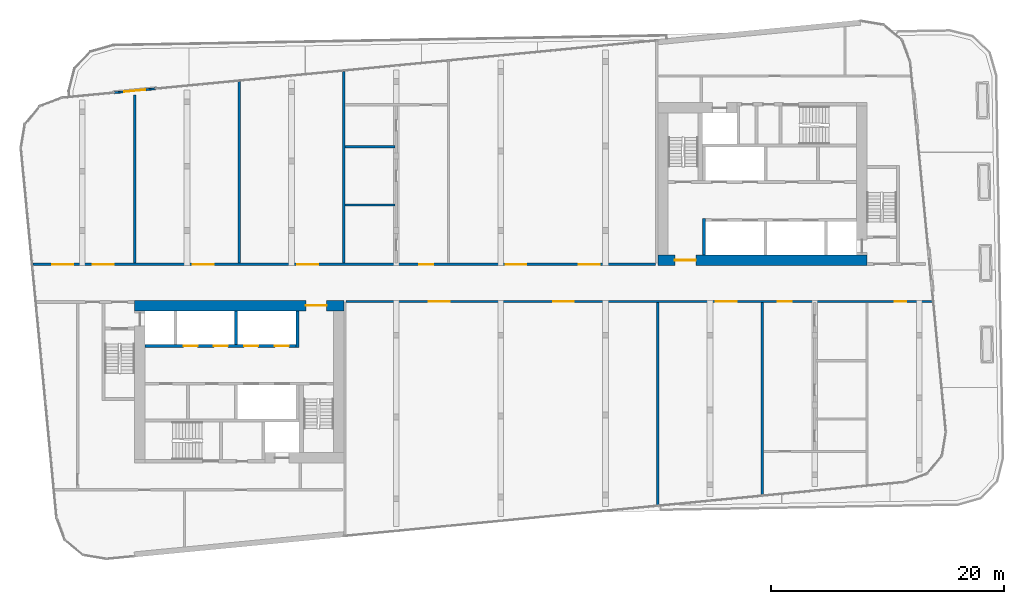
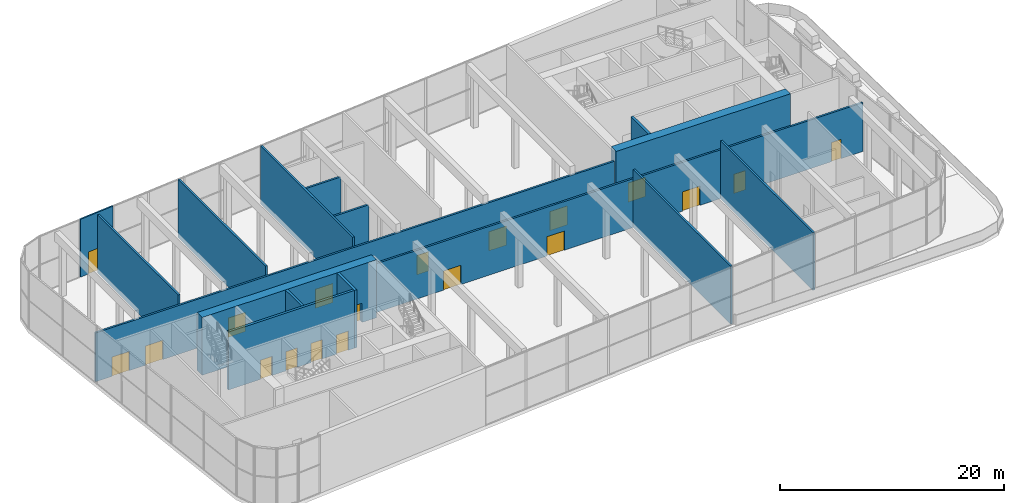
# One storey, part 13 of 24: 19 doors, 16 walls, 19 openings.
"""IFC4 building model written with IfcOpenShell, lengths in metres."""

from ifc_helpers import new_model, si_unit, direction, frame, frame_2d, origin, place, context, subcontext, project, spatial, rectangle, extrude, material, layer, layer_set, type_object, element, fill, save


model = new_model("IFC4")

# Units and contexts
model_context = context("Model", 3, precision=1e-05, world=origin(), true_north=direction((0.0, 1.0)))
body_context = subcontext(model_context, "Body", "Model", "MODEL_VIEW")
ifc_project = project(units=[si_unit("LENGTHUNIT", "METRE"), si_unit("AREAUNIT", "SQUARE_METRE"), si_unit("VOLUMEUNIT", "CUBIC_METRE"), si_unit("PLANEANGLEUNIT", "RADIAN"), si_unit("MASSUNIT", "GRAM", prefix="KILO")], contexts=[model_context])

# Site, building, storey
site_placement = place(None, origin())
site = spatial("IfcSite", under=ifc_project, at=site_placement, CompositionType="ELEMENT")
building_placement = place(site_placement, origin())
building = spatial("IfcBuilding", under=site, at=building_placement, Name="Kajstack Hotel Tower", CompositionType="ELEMENT")
storey_placement = place(building_placement, frame((0.0, 0.0, 261.89990234375)))
storey = spatial("IfcBuildingStorey", under=building, at=storey_placement, Name="L65", CompositionType="ELEMENT", Elevation=261.89990234375)

# Wall, opening, door
ifc_material_1 = material(Name="Concrete C60/75", Category="concrete")
ifc_layer_1 = layer(ifc_material_1, 0.89990234375)
ifc_layer_set_1 = layer_set([ifc_layer_1], Name="Core wall 900")
wall_type_1 = type_object("IfcWallType", Name="Core wall 900", PredefinedType="SHEAR", material=ifc_layer_set_1)
wall_1_placement = place(storey_placement, frame((-31.5, -1.949951171875, 0.0), z_axis=(0.0, 0.0, 1.0), x_axis=(1.0, 0.0, 0.0)))
wall_1 = element("IfcWall", 1, at=wall_1_placement, inside=storey, type_object=wall_type_1, Name="Core wall W RN", PredefinedType="SHEAR", context=body_context, shape_type="SweptSolid", body=[
    extrude(rectangle(XDim=18.0, YDim=0.89990234375, at=frame_2d((9.0, 0.0))), origin(), (0.0, 0.0, 1.0), 6.320068359375),
])
opening_1_placement = place(wall_1_placement, frame((14.72509765625, 0.0, 0.0)))
opening_1 = element("IfcOpeningElement", 2, at=opening_1_placement, cuts=wall_1, Name="Opening 65W09", PredefinedType="OPENING", context=body_context, shape_type="SweptSolid", body=[
    extrude(rectangle(XDim=1.800048828125, YDim=2.10009765625, at=frame_2d((0.89990234375, 1.050048828125))), frame((0.0, 0.4599609375, 0.0), z_axis=(0.0, -1.0, 0.0), x_axis=(1.0, 0.0, 0.0)), (0.0, 0.0, 1.0), 0.919921875),
])
ifc_material_2 = material(Name="Glazed steel frame, fire-rated glass", Category="steel")
door_type_1 = type_object("IfcDoorType", Name="Lobby double door 1800", OperationType="DOUBLE_DOOR_DOUBLE_SWING", PredefinedType="DOOR", material=ifc_material_2)
door_1_placement = place(opening_1_placement, origin())
door_1 = element("IfcDoor", 3, at=door_1_placement, inside=storey, type_object=door_type_1, Name="Door 65W09", OperationType="DOUBLE_DOOR_DOUBLE_SWING", OverallHeight=2.10009765625, OverallWidth=1.800048828125, PredefinedType="DOOR", context=body_context, shape_type="SweptSolid", body=[
    extrude(rectangle(XDim=1.800048828125, YDim=2.10009765625, at=frame_2d((0.89990234375, 1.050048828125))), frame((0.0, 0.02490234375, 0.0), z_axis=(0.0, -1.0, 0.0), x_axis=(1.0, 0.0, 0.0)), (0.0, 0.0, 1.0), 0.050048828125),
])
fill(opening_1, door_1)

wall_2_placement = place(storey_placement, frame((13.5, 1.949951171875, 0.0), z_axis=(0.0, 0.0, 1.0), x_axis=(1.0, 0.0, 0.0)))
wall_2 = element("IfcWall", 4, at=wall_2_placement, inside=storey, type_object=wall_type_1, Name="Core wall E RN", PredefinedType="SHEAR", context=body_context, shape_type="SweptSolid", body=[
    extrude(rectangle(XDim=18.0, YDim=0.89990234375, at=frame_2d((9.0, 0.0))), origin(), (0.0, 0.0, 1.0), 6.320068359375),
])
opening_2_placement = place(wall_2_placement, frame((1.47509765625, 0.0, 0.0)))
opening_2 = element("IfcOpeningElement", 5, at=opening_2_placement, cuts=wall_2, Name="Opening 65E09", PredefinedType="OPENING", context=body_context, shape_type="SweptSolid", body=[
    extrude(rectangle(XDim=1.800048828125, YDim=2.10009765625, at=frame_2d((0.89990234375, 1.050048828125))), frame((0.0, 0.4599609375, 0.0), z_axis=(0.0, -1.0, 0.0), x_axis=(1.0, 0.0, 0.0)), (0.0, 0.0, 1.0), 0.919921875),
])
door_2_placement = place(opening_2_placement, origin())
door_2 = element("IfcDoor", 6, at=door_2_placement, inside=storey, type_object=door_type_1, Name="Door 65E09", OperationType="DOUBLE_DOOR_DOUBLE_SWING", OverallHeight=2.10009765625, OverallWidth=1.800048828125, PredefinedType="DOOR", context=body_context, shape_type="SweptSolid", body=[
    extrude(rectangle(XDim=1.800048828125, YDim=2.10009765625, at=frame_2d((0.89990234375, 1.050048828125))), frame((0.0, 0.02490234375, 0.0), z_axis=(0.0, -1.0, 0.0), x_axis=(1.0, 0.0, 0.0)), (0.0, 0.0, 1.0), 0.050048828125),
])
fill(opening_2, door_2)

ifc_material_3 = material(Name="Aluminium", Category="aluminium")
ifc_layer_2 = layer(ifc_material_3, 0.14990234375)
ifc_layer_set_2 = layer_set([ifc_layer_2], Name="EW-FRAME")
wall_type_2 = type_object("IfcWallType", Name="EW-FRAME", PredefinedType="SOLIDWALL", material=ifc_layer_set_2)
wall_3_placement = place(storey_placement, frame((-29.700927734375, 16.70166015625, 0.0), z_axis=(0.0, 0.0, 1.0), x_axis=(-0.995398337395, -0.095823535273, 0.0)))
wall_3 = element("IfcWall", 7, at=wall_3_placement, inside=storey, type_object=wall_type_2, Name="E-wall-L65-12-02", PredefinedType="SOLIDWALL", context=body_context, shape_type="SweptSolid", body=[
    extrude(rectangle(XDim=3.60009765625, YDim=0.14990234375, at=frame_2d((1.800048828125, 0.0))), origin(), (0.0, 0.0, 1.0), 6.320068359375),
])
opening_3_placement = place(wall_3_placement, frame((0.89990234375, 0.0, 0.0)))
opening_3 = element("IfcOpeningElement", 8, at=opening_3_placement, cuts=wall_3, Name="Opening TD1", PredefinedType="OPENING", context=body_context, shape_type="SweptSolid", body=[
    extrude(rectangle(XDim=1.800048828125, YDim=2.39990234375, at=frame_2d((0.89990234375, 1.199951171875))), frame((0.0, 0.0849609375, 0.0), z_axis=(0.0, -1.0, 0.0), x_axis=(1.0, 0.0, 0.0)), (0.0, 0.0, 1.0), 0.169921875),
])
ifc_material_4 = material(Name="Timber-aluminium door", Category="wood")
door_type_2 = type_object("IfcDoorType", Name="DOOR-TERRACE", OperationType="DOUBLE_DOOR_SINGLE_SWING", PredefinedType="DOOR", material=ifc_material_4)
door_3_placement = place(opening_3_placement, origin())
door_3 = element("IfcDoor", 9, at=door_3_placement, inside=storey, type_object=door_type_2, Name="Terrace door L65-12", OperationType="SINGLE_SWING_LEFT", OverallHeight=2.39990234375, OverallWidth=1.800048828125, PredefinedType="DOOR", context=body_context, shape_type="SweptSolid", body=[
    extrude(rectangle(XDim=1.800048828125, YDim=2.39990234375, at=frame_2d((0.89990234375, 1.199951171875))), frame((0.0, 0.02490234375, 0.0), z_axis=(0.0, -1.0, 0.0), x_axis=(1.0, 0.0, 0.0)), (0.0, 0.0, 1.0), 0.050048828125),
])
fill(opening_3, door_3)

# Walls
ifc_material_5 = material(Name="Concrete C50/60", Category="concrete")
ifc_layer_3 = layer(ifc_material_5, 0.300048828125)
ifc_layer_set_3 = layer_set([ifc_layer_3], Name="Hoistway divider wall 300")
wall_type_3 = type_object("IfcWallType", Name="Hoistway divider wall 300", PredefinedType="SHEAR", material=ifc_layer_set_3)
wall_4_placement = place(storey_placement, frame((-22.77490234375, -5.300048828125, 0.0), z_axis=(0.0, 0.0, 1.0), x_axis=(0.0, 1.0, 0.0)))
element("IfcWall", 10, at=wall_4_placement, inside=storey, type_object=wall_type_3, Name="Core wall W AP2", PredefinedType="SHEAR", context=body_context, shape_type="SweptSolid", body=[
    extrude(rectangle(XDim=2.900146484375, YDim=0.25, at=frame_2d((1.4501953125, 0.0))), origin(), (0.0, 0.0, 1.0), 6.320068359375),
])
ifc_material_6 = material(Name="Gypsum board on steel studs, mineral wool", Category="steel")
ifc_layer_4 = layer(ifc_material_6, 0.199951171875)
ifc_layer_set_4 = layer_set([ifc_layer_4], Name="Public partition 200")
wall_type_4 = type_object("IfcWallType", Name="Public partition 200", PredefinedType="PARTITIONING", material=ifc_layer_set_4)
for number, where, z_axis, x_axis, name in (
    (11, (-13.39990234375, 6.699951171875, 0.0), (0.0, 0.0, 1.0), (1.0, 0.0, 0.0), "Partition C1wP0"),
    (12, (-13.39990234375, 11.699951171875, 0.0), (0.0, 0.0, 1.0), (1.0, 0.0, 0.0), "Partition C1wP1"),
):
    element("IfcWall", number, at=place(storey_placement, frame(where, z_axis=z_axis, x_axis=x_axis)), inside=storey, type_object=wall_type_4, Name=name, PredefinedType="PARTITIONING", context=body_context, shape_type="SweptSolid", body=[
        extrude(rectangle(XDim=4.2998046875, YDim=0.199951171875, at=frame_2d((2.14990234375, 0.0))), origin(), (0.0, 0.0, 1.0), 5.320068359375),
    ])
wall_5_placement = place(storey_placement, frame((-13.5, 1.699951171875, 0.0), z_axis=(0.0, 0.0, 1.0), x_axis=(0.0, 1.0, 0.0)))
element("IfcWall", 13, at=wall_5_placement, inside=storey, type_object=wall_type_4, Name="Partition PX1", PredefinedType="PARTITIONING", context=body_context, shape_type="SweptSolid", body=[
    extrude(rectangle(XDim=16.486328125, YDim=0.199951171875, at=frame_2d((8.2431640625, 0.0))), origin(), (0.0, 0.0, 1.0), 6.320068359375),
])
wall_6_placement = place(storey_placement, frame((-22.5, 1.699951171875, 0.0), z_axis=(0.0, 0.0, 1.0), x_axis=(0.0, 1.0, 0.0)))
element("IfcWall", 14, at=wall_6_placement, inside=storey, type_object=wall_type_4, Name="Partition PX2", PredefinedType="PARTITIONING", context=body_context, shape_type="SweptSolid", body=[
    extrude(rectangle(XDim=15.61962890625, YDim=0.199951171875, at=frame_2d((7.809814453125, 0.0))), origin(), (0.0, 0.0, 1.0), 6.320068359375),
])
wall_7_placement = place(storey_placement, frame((-31.5, 1.699951171875, 0.0), z_axis=(0.0, 0.0, 1.0), x_axis=(0.0, 1.0, 0.0)))
element("IfcWall", 15, at=wall_7_placement, inside=storey, type_object=wall_type_4, Name="Partition PX3", PredefinedType="PARTITIONING", context=body_context, shape_type="SweptSolid", body=[
    extrude(rectangle(XDim=14.45166015625, YDim=0.199951171875, at=frame_2d((7.225830078125, 0.0))), origin(), (0.0, 0.0, 1.0), 6.320068359375),
])

# Wall, openings, doors
wall_8_placement = place(storey_placement, frame((-40.2392578125, 1.60009765625, 0.0), z_axis=(0.0, 0.0, 1.0), x_axis=(1.0, 0.0, 0.0)))
wall_8 = element("IfcWall", 16, at=wall_8_placement, inside=storey, type_object=wall_type_4, Name="Partition FW", PredefinedType="PARTITIONING", context=body_context, shape_type="SweptSolid", body=[
    extrude(rectangle(XDim=53.539306640625, YDim=0.199951171875, at=frame_2d((26.76953125, 0.0))), origin(), (0.0, 0.0, 1.0), 5.320068359375),
])
opening_4_placement = place(wall_8_placement, frame((46.92919921875, 0.0, 0.0)))
opening_4 = element("IfcOpeningElement", 17, at=opening_4_placement, cuts=wall_8, Name="Opening 65P01", PredefinedType="OPENING", context=body_context, shape_type="SweptSolid", body=[
    extrude(rectangle(XDim=1.800048828125, YDim=2.10009765625, at=frame_2d((0.89990234375, 1.050048828125))), frame((0.0, 0.10986328125, 0.0), z_axis=(0.0, -1.0, 0.0), x_axis=(1.0, 0.0, 0.0)), (0.0, 0.0, 1.0), 0.219970703125),
])
opening_5_placement = place(wall_8_placement, frame((40.649169921875, 0.0, 0.0)))
opening_5 = element("IfcOpeningElement", 18, at=opening_5_placement, cuts=wall_8, Name="Opening 65P02", PredefinedType="OPENING", context=body_context, shape_type="SweptSolid", body=[
    extrude(rectangle(XDim=1.800048828125, YDim=2.10009765625, at=frame_2d((0.89990234375, 1.050048828125))), frame((0.0, 0.10986328125, 0.0), z_axis=(0.0, -1.0, 0.0), x_axis=(1.0, 0.0, 0.0)), (0.0, 0.0, 1.0), 0.219970703125),
])
opening_6_placement = place(wall_8_placement, frame((33.214111328125, 0.0, 0.0)))
opening_6 = element("IfcOpeningElement", 19, at=opening_6_placement, cuts=wall_8, Name="Opening 65P03", PredefinedType="OPENING", context=body_context, shape_type="SweptSolid", body=[
    extrude(rectangle(XDim=1.199951171875, YDim=2.10009765625, at=frame_2d((0.60009765625, 1.050048828125))), frame((0.0, 0.10986328125, 0.0), z_axis=(0.0, -1.0, 0.0), x_axis=(1.0, 0.0, 0.0)), (0.0, 0.0, 1.0), 0.219970703125),
])
opening_7_placement = place(wall_8_placement, frame((22.7392578125, 0.0, 0.0)))
opening_7 = element("IfcOpeningElement", 20, at=opening_7_placement, cuts=wall_8, Name="Opening 65P08", PredefinedType="OPENING", context=body_context, shape_type="SweptSolid", body=[
    extrude(rectangle(XDim=1.800048828125, YDim=2.10009765625, at=frame_2d((0.89990234375, 1.050048828125))), frame((0.0, 0.10986328125, 0.0), z_axis=(0.0, -1.0, 0.0), x_axis=(1.0, 0.0, 0.0)), (0.0, 0.0, 1.0), 0.219970703125),
])
opening_8_placement = place(wall_8_placement, frame((13.7392578125, 0.0, 0.0)))
opening_8 = element("IfcOpeningElement", 21, at=opening_8_placement, cuts=wall_8, Name="Opening 65P09", PredefinedType="OPENING", context=body_context, shape_type="SweptSolid", body=[
    extrude(rectangle(XDim=1.800048828125, YDim=2.10009765625, at=frame_2d((0.89990234375, 1.050048828125))), frame((0.0, 0.10986328125, 0.0), z_axis=(0.0, -1.0, 0.0), x_axis=(1.0, 0.0, 0.0)), (0.0, 0.0, 1.0), 0.219970703125),
])
opening_9_placement = place(wall_8_placement, frame((5.13916015625, 0.0, 0.0)))
opening_9 = element("IfcOpeningElement", 22, at=opening_9_placement, cuts=wall_8, Name="Opening 65P10", PredefinedType="OPENING", context=body_context, shape_type="SweptSolid", body=[
    extrude(rectangle(XDim=1.800048828125, YDim=2.10009765625, at=frame_2d((0.89990234375, 1.050048828125))), frame((0.0, 0.10986328125, 0.0), z_axis=(0.0, -1.0, 0.0), x_axis=(1.0, 0.0, 0.0)), (0.0, 0.0, 1.0), 0.219970703125),
])
opening_10_placement = place(wall_8_placement, frame((1.673095703125, 0.0, 0.0)))
opening_10 = element("IfcOpeningElement", 23, at=opening_10_placement, cuts=wall_8, Name="Opening 65P11", PredefinedType="OPENING", context=body_context, shape_type="SweptSolid", body=[
    extrude(rectangle(XDim=1.800048828125, YDim=2.10009765625, at=frame_2d((0.89990234375, 1.050048828125))), frame((0.0, 0.10986328125, 0.0), z_axis=(0.0, -1.0, 0.0), x_axis=(1.0, 0.0, 0.0)), (0.0, 0.0, 1.0), 0.219970703125),
])
ifc_material_7 = material(Name="Timber leaf, fire-rated", Category="wood")
door_type_3 = type_object("IfcDoorType", Name="Public corridor door 1200", OperationType="SINGLE_SWING_LEFT", PredefinedType="DOOR", material=ifc_material_7)
door_4_placement = place(opening_6_placement, origin())
door_4 = element("IfcDoor", 24, at=door_4_placement, inside=storey, type_object=door_type_3, Name="Door 65P03", OperationType="SINGLE_SWING_LEFT", OverallHeight=2.10009765625, OverallWidth=1.199951171875, PredefinedType="DOOR", context=body_context, shape_type="SweptSolid", body=[
    extrude(rectangle(XDim=1.199951171875, YDim=2.10009765625, at=frame_2d((0.60009765625, 1.050048828125))), frame((0.0, 0.02490234375, 0.0), z_axis=(0.0, -1.0, 0.0), x_axis=(1.0, 0.0, 0.0)), (0.0, 0.0, 1.0), 0.050048828125),
])
fill(opening_6, door_4)
ifc_material_8 = material(Name="Glazed timber frame, fire-rated glass", Category="wood")
door_type_4 = type_object("IfcDoorType", Name="Public double door 1800", OperationType="DOUBLE_DOOR_DOUBLE_SWING", PredefinedType="DOOR", material=ifc_material_8)
door_5_placement = place(opening_4_placement, origin())
door_5 = element("IfcDoor", 25, at=door_5_placement, inside=storey, type_object=door_type_4, Name="Door 65P01", OperationType="DOUBLE_DOOR_DOUBLE_SWING", OverallHeight=2.10009765625, OverallWidth=1.800048828125, PredefinedType="DOOR", context=body_context, shape_type="SweptSolid", body=[
    extrude(rectangle(XDim=1.800048828125, YDim=2.10009765625, at=frame_2d((0.89990234375, 1.050048828125))), frame((0.0, 0.02490234375, 0.0), z_axis=(0.0, -1.0, 0.0), x_axis=(1.0, 0.0, 0.0)), (0.0, 0.0, 1.0), 0.050048828125),
])
fill(opening_4, door_5)
door_6_placement = place(opening_5_placement, origin())
door_6 = element("IfcDoor", 26, at=door_6_placement, inside=storey, type_object=door_type_4, Name="Door 65P02", OperationType="DOUBLE_DOOR_DOUBLE_SWING", OverallHeight=2.10009765625, OverallWidth=1.800048828125, PredefinedType="DOOR", context=body_context, shape_type="SweptSolid", body=[
    extrude(rectangle(XDim=1.800048828125, YDim=2.10009765625, at=frame_2d((0.89990234375, 1.050048828125))), frame((0.0, 0.02490234375, 0.0), z_axis=(0.0, -1.0, 0.0), x_axis=(1.0, 0.0, 0.0)), (0.0, 0.0, 1.0), 0.050048828125),
])
fill(opening_5, door_6)
door_7_placement = place(opening_7_placement, origin())
door_7 = element("IfcDoor", 27, at=door_7_placement, inside=storey, type_object=door_type_4, Name="Door 65P08", OperationType="DOUBLE_DOOR_DOUBLE_SWING", OverallHeight=2.10009765625, OverallWidth=1.800048828125, PredefinedType="DOOR", context=body_context, shape_type="SweptSolid", body=[
    extrude(rectangle(XDim=1.800048828125, YDim=2.10009765625, at=frame_2d((0.89990234375, 1.050048828125))), frame((0.0, 0.02490234375, 0.0), z_axis=(0.0, -1.0, 0.0), x_axis=(1.0, 0.0, 0.0)), (0.0, 0.0, 1.0), 0.050048828125),
])
fill(opening_7, door_7)
door_8_placement = place(opening_8_placement, origin())
door_8 = element("IfcDoor", 28, at=door_8_placement, inside=storey, type_object=door_type_4, Name="Door 65P09", OperationType="DOUBLE_DOOR_DOUBLE_SWING", OverallHeight=2.10009765625, OverallWidth=1.800048828125, PredefinedType="DOOR", context=body_context, shape_type="SweptSolid", body=[
    extrude(rectangle(XDim=1.800048828125, YDim=2.10009765625, at=frame_2d((0.89990234375, 1.050048828125))), frame((0.0, 0.02490234375, 0.0), z_axis=(0.0, -1.0, 0.0), x_axis=(1.0, 0.0, 0.0)), (0.0, 0.0, 1.0), 0.050048828125),
])
fill(opening_8, door_8)
door_9_placement = place(opening_9_placement, origin())
door_9 = element("IfcDoor", 29, at=door_9_placement, inside=storey, type_object=door_type_4, Name="Door 65P10", OperationType="DOUBLE_DOOR_DOUBLE_SWING", OverallHeight=2.10009765625, OverallWidth=1.800048828125, PredefinedType="DOOR", context=body_context, shape_type="SweptSolid", body=[
    extrude(rectangle(XDim=1.800048828125, YDim=2.10009765625, at=frame_2d((0.89990234375, 1.050048828125))), frame((0.0, 0.02490234375, 0.0), z_axis=(0.0, -1.0, 0.0), x_axis=(1.0, 0.0, 0.0)), (0.0, 0.0, 1.0), 0.050048828125),
])
fill(opening_9, door_9)
door_10_placement = place(opening_10_placement, origin())
door_10 = element("IfcDoor", 30, at=door_10_placement, inside=storey, type_object=door_type_4, Name="Door 65P11", OperationType="DOUBLE_DOOR_DOUBLE_SWING", OverallHeight=2.10009765625, OverallWidth=1.800048828125, PredefinedType="DOOR", context=body_context, shape_type="SweptSolid", body=[
    extrude(rectangle(XDim=1.800048828125, YDim=2.10009765625, at=frame_2d((0.89990234375, 1.050048828125))), frame((0.0, 0.02490234375, 0.0), z_axis=(0.0, -1.0, 0.0), x_axis=(1.0, 0.0, 0.0)), (0.0, 0.0, 1.0), 0.050048828125),
])
fill(opening_10, door_10)

# Walls
wall_9_placement = place(storey_placement, frame((13.5, -19.097412109375, 0.0), z_axis=(0.0, 0.0, 1.0), x_axis=(0.0, 1.0, 0.0)))
element("IfcWall", 31, at=wall_9_placement, inside=storey, type_object=wall_type_4, Name="Partition SPX0", PredefinedType="PARTITIONING", context=body_context, shape_type="SweptSolid", body=[
    extrude(rectangle(XDim=17.3974609375, YDim=0.199951171875, at=frame_2d((8.69873046875, 0.0))), origin(), (0.0, 0.0, 1.0), 6.320068359375),
])
wall_10_placement = place(storey_placement, frame((22.5, -18.230712890625, 0.0), z_axis=(0.0, 0.0, 1.0), x_axis=(0.0, 1.0, 0.0)))
element("IfcWall", 32, at=wall_10_placement, inside=storey, type_object=wall_type_4, Name="Partition SPX1", PredefinedType="PARTITIONING", context=body_context, shape_type="SweptSolid", body=[
    extrude(rectangle(XDim=16.53076171875, YDim=0.199951171875, at=frame_2d((8.265380859375, 0.0))), origin(), (0.0, 0.0, 1.0), 6.320068359375),
])

# Wall, openings, doors
wall_11_placement = place(storey_placement, frame((-13.300048828125, -1.60009765625, 0.0), z_axis=(0.0, 0.0, 1.0), x_axis=(1.0, 0.0, 0.0)))
wall_11 = element("IfcWall", 33, at=wall_11_placement, inside=storey, type_object=wall_type_4, Name="Partition SFW", PredefinedType="PARTITIONING", context=body_context, shape_type="SweptSolid", body=[
    extrude(rectangle(XDim=50.423828125, YDim=0.199951171875, at=frame_2d((25.2119140625, 0.0))), origin(), (0.0, 0.0, 1.0), 5.320068359375),
])
opening_11_placement = place(wall_11_placement, frame((7.110107421875, 0.0, 0.0)))
opening_11 = element("IfcOpeningElement", 34, at=opening_11_placement, cuts=wall_11, Name="Opening 65P12", PredefinedType="OPENING", context=body_context, shape_type="SweptSolid", body=[
    extrude(rectangle(XDim=1.800048828125, YDim=2.10009765625, at=frame_2d((0.89990234375, 1.050048828125))), frame((0.0, 0.10986328125, 0.0), z_axis=(0.0, -1.0, 0.0), x_axis=(1.0, 0.0, 0.0)), (0.0, 0.0, 1.0), 0.219970703125),
])
opening_12_placement = place(wall_11_placement, frame((17.7900390625, 0.0, 0.0)))
opening_12 = element("IfcOpeningElement", 35, at=opening_12_placement, cuts=wall_11, Name="Opening 65P13", PredefinedType="OPENING", context=body_context, shape_type="SweptSolid", body=[
    extrude(rectangle(XDim=1.800048828125, YDim=2.10009765625, at=frame_2d((0.89990234375, 1.050048828125))), frame((0.0, 0.10986328125, 0.0), z_axis=(0.0, -1.0, 0.0), x_axis=(1.0, 0.0, 0.0)), (0.0, 0.0, 1.0), 0.219970703125),
])
opening_13_placement = place(wall_11_placement, frame((31.800048828125, 0.0, 0.0)))
opening_13 = element("IfcOpeningElement", 36, at=opening_13_placement, cuts=wall_11, Name="Opening 65P14", PredefinedType="OPENING", context=body_context, shape_type="SweptSolid", body=[
    extrude(rectangle(XDim=1.800048828125, YDim=2.10009765625, at=frame_2d((0.89990234375, 1.050048828125))), frame((0.0, 0.10986328125, 0.0), z_axis=(0.0, -1.0, 0.0), x_axis=(1.0, 0.0, 0.0)), (0.0, 0.0, 1.0), 0.219970703125),
])
opening_14_placement = place(wall_11_placement, frame((37.125, 0.0, 0.0)))
opening_14 = element("IfcOpeningElement", 37, at=opening_14_placement, cuts=wall_11, Name="Opening 65P15", PredefinedType="OPENING", context=body_context, shape_type="SweptSolid", body=[
    extrude(rectangle(XDim=1.199951171875, YDim=2.10009765625, at=frame_2d((0.60009765625, 1.050048828125))), frame((0.0, 0.10986328125, 0.0), z_axis=(0.0, -1.0, 0.0), x_axis=(1.0, 0.0, 0.0)), (0.0, 0.0, 1.0), 0.219970703125),
])
opening_15_placement = place(wall_11_placement, frame((47.175048828125, 0.0, 0.0)))
opening_15 = element("IfcOpeningElement", 38, at=opening_15_placement, cuts=wall_11, Name="Opening 65P20", PredefinedType="OPENING", context=body_context, shape_type="SweptSolid", body=[
    extrude(rectangle(XDim=1.0, YDim=2.10009765625, at=frame_2d((0.5, 1.050048828125))), frame((0.0, 0.10986328125, 0.0), z_axis=(0.0, -1.0, 0.0), x_axis=(1.0, 0.0, 0.0)), (0.0, 0.0, 1.0), 0.219970703125),
])
door_11_placement = place(opening_14_placement, origin())
door_11 = element("IfcDoor", 39, at=door_11_placement, inside=storey, type_object=door_type_3, Name="Door 65P15", OperationType="SINGLE_SWING_RIGHT", OverallHeight=2.10009765625, OverallWidth=1.199951171875, PredefinedType="DOOR", context=body_context, shape_type="SweptSolid", body=[
    extrude(rectangle(XDim=1.199951171875, YDim=2.10009765625, at=frame_2d((0.60009765625, 1.050048828125))), frame((0.0, 0.02490234375, 0.0), z_axis=(0.0, -1.0, 0.0), x_axis=(1.0, 0.0, 0.0)), (0.0, 0.0, 1.0), 0.050048828125),
])
fill(opening_14, door_11)
door_12_placement = place(opening_11_placement, origin())
door_12 = element("IfcDoor", 40, at=door_12_placement, inside=storey, type_object=door_type_4, Name="Door 65P12", OperationType="DOUBLE_DOOR_DOUBLE_SWING", OverallHeight=2.10009765625, OverallWidth=1.800048828125, PredefinedType="DOOR", context=body_context, shape_type="SweptSolid", body=[
    extrude(rectangle(XDim=1.800048828125, YDim=2.10009765625, at=frame_2d((0.89990234375, 1.050048828125))), frame((0.0, 0.02490234375, 0.0), z_axis=(0.0, -1.0, 0.0), x_axis=(1.0, 0.0, 0.0)), (0.0, 0.0, 1.0), 0.050048828125),
])
fill(opening_11, door_12)
door_13_placement = place(opening_12_placement, origin())
door_13 = element("IfcDoor", 41, at=door_13_placement, inside=storey, type_object=door_type_4, Name="Door 65P13", OperationType="DOUBLE_DOOR_DOUBLE_SWING", OverallHeight=2.10009765625, OverallWidth=1.800048828125, PredefinedType="DOOR", context=body_context, shape_type="SweptSolid", body=[
    extrude(rectangle(XDim=1.800048828125, YDim=2.10009765625, at=frame_2d((0.89990234375, 1.050048828125))), frame((0.0, 0.02490234375, 0.0), z_axis=(0.0, -1.0, 0.0), x_axis=(1.0, 0.0, 0.0)), (0.0, 0.0, 1.0), 0.050048828125),
])
fill(opening_12, door_13)
door_14_placement = place(opening_13_placement, origin())
door_14 = element("IfcDoor", 42, at=door_14_placement, inside=storey, type_object=door_type_4, Name="Door 65P14", OperationType="DOUBLE_DOOR_DOUBLE_SWING", OverallHeight=2.10009765625, OverallWidth=1.800048828125, PredefinedType="DOOR", context=body_context, shape_type="SweptSolid", body=[
    extrude(rectangle(XDim=1.800048828125, YDim=2.10009765625, at=frame_2d((0.89990234375, 1.050048828125))), frame((0.0, 0.02490234375, 0.0), z_axis=(0.0, -1.0, 0.0), x_axis=(1.0, 0.0, 0.0)), (0.0, 0.0, 1.0), 0.050048828125),
])
fill(opening_13, door_14)
ifc_material_9 = material(Name="Timber leaf", Category="wood")
door_type_5 = type_object("IfcDoorType", Name="Public room door 1000", OperationType="SINGLE_SWING_LEFT", PredefinedType="DOOR", material=ifc_material_9)
door_15_placement = place(opening_15_placement, origin())
door_15 = element("IfcDoor", 43, at=door_15_placement, inside=storey, type_object=door_type_5, Name="Door 65P20", OperationType="SINGLE_SWING_RIGHT", OverallHeight=2.10009765625, OverallWidth=1.0, PredefinedType="DOOR", context=body_context, shape_type="SweptSolid", body=[
    extrude(rectangle(XDim=1.0, YDim=2.10009765625, at=frame_2d((0.5, 1.050048828125))), frame((0.0, 0.02490234375, 0.0), z_axis=(0.0, -1.0, 0.0), x_axis=(1.0, 0.0, 0.0)), (0.0, 0.0, 1.0), 0.050048828125),
])
fill(opening_15, door_15)

ifc_layer_5 = layer(ifc_material_5, 0.25)
ifc_layer_set_5 = layer_set([ifc_layer_5], Name="Shaft wall 250")
wall_type_5 = type_object("IfcWallType", Name="Shaft wall 250", PredefinedType="SHEAR", material=ifc_layer_set_5)
wall_12_placement = place(storey_placement, frame((-30.60009765625, -5.425048828125, 0.0), z_axis=(0.0, 0.0, 1.0), x_axis=(1.0, 0.0, 0.0)))
wall_12 = element("IfcWall", 44, at=wall_12_placement, inside=storey, type_object=wall_type_5, Name="Core wall W FA", PredefinedType="SHEAR", context=body_context, shape_type="SweptSolid", body=[
    extrude(rectangle(XDim=13.0, YDim=0.25, at=frame_2d((6.5, 0.0))), origin(), (0.0, 0.0, 1.0), 6.320068359375),
])
opening_16_placement = place(wall_12_placement, frame((3.324951171875, 0.0, 0.0)))
opening_16 = element("IfcOpeningElement", 45, at=opening_16_placement, cuts=wall_12, Name="Opening LD-MR3", PredefinedType="OPENING", context=body_context, shape_type="SweptSolid", body=[
    extrude(rectangle(XDim=1.199951171875, YDim=2.10009765625, at=frame_2d((0.60009765625, 1.050048828125))), frame((0.0, 0.135009765625, 0.0), z_axis=(0.0, -1.0, 0.0), x_axis=(1.0, 0.0, 0.0)), (0.0, 0.0, 1.0), 0.27001953125),
])
opening_17_placement = place(wall_12_placement, frame((5.925048828125, 0.0, 0.0)))
opening_17 = element("IfcOpeningElement", 46, at=opening_17_placement, cuts=wall_12, Name="Opening LD-MR4", PredefinedType="OPENING", context=body_context, shape_type="SweptSolid", body=[
    extrude(rectangle(XDim=1.199951171875, YDim=2.10009765625, at=frame_2d((0.60009765625, 1.050048828125))), frame((0.0, 0.135009765625, 0.0), z_axis=(0.0, -1.0, 0.0), x_axis=(1.0, 0.0, 0.0)), (0.0, 0.0, 1.0), 0.27001953125),
])
opening_18_placement = place(wall_12_placement, frame((8.52490234375, 0.0, 0.0)))
opening_18 = element("IfcOpeningElement", 47, at=opening_18_placement, cuts=wall_12, Name="Opening LD-HR1", PredefinedType="OPENING", context=body_context, shape_type="SweptSolid", body=[
    extrude(rectangle(XDim=1.199951171875, YDim=2.10009765625, at=frame_2d((0.60009765625, 1.050048828125))), frame((0.0, 0.135009765625, 0.0), z_axis=(0.0, -1.0, 0.0), x_axis=(1.0, 0.0, 0.0)), (0.0, 0.0, 1.0), 0.27001953125),
])
opening_19_placement = place(wall_12_placement, frame((11.175048828125, 0.0, 0.0)))
opening_19 = element("IfcOpeningElement", 48, at=opening_19_placement, cuts=wall_12, Name="Opening LD-HR2", PredefinedType="OPENING", context=body_context, shape_type="SweptSolid", body=[
    extrude(rectangle(XDim=1.199951171875, YDim=2.10009765625, at=frame_2d((0.60009765625, 1.050048828125))), frame((0.0, 0.135009765625, 0.0), z_axis=(0.0, -1.0, 0.0), x_axis=(1.0, 0.0, 0.0)), (0.0, 0.0, 1.0), 0.27001953125),
])
ifc_material_10 = material(Name="Stainless steel", Category="steel")
door_type_6 = type_object("IfcDoorType", Name="Lift landing door 1200", OperationType="SLIDING_TO_LEFT", PredefinedType="DOOR", material=ifc_material_10)
door_16_placement = place(opening_16_placement, origin())
door_16 = element("IfcDoor", 49, at=door_16_placement, inside=storey, type_object=door_type_6, Name="Landing door MR3", OperationType="SLIDING_TO_RIGHT", OverallHeight=2.10009765625, OverallWidth=1.199951171875, PredefinedType="DOOR", context=body_context, shape_type="SweptSolid", body=[
    extrude(rectangle(XDim=1.199951171875, YDim=2.10009765625, at=frame_2d((0.60009765625, 1.050048828125))), frame((0.0, 0.02490234375, 0.0), z_axis=(0.0, -1.0, 0.0), x_axis=(1.0, 0.0, 0.0)), (0.0, 0.0, 1.0), 0.050048828125),
])
fill(opening_16, door_16)
door_17_placement = place(opening_17_placement, origin())
door_17 = element("IfcDoor", 50, at=door_17_placement, inside=storey, type_object=door_type_6, Name="Landing door MR4", OperationType="SLIDING_TO_RIGHT", OverallHeight=2.10009765625, OverallWidth=1.199951171875, PredefinedType="DOOR", context=body_context, shape_type="SweptSolid", body=[
    extrude(rectangle(XDim=1.199951171875, YDim=2.10009765625, at=frame_2d((0.60009765625, 1.050048828125))), frame((0.0, 0.02490234375, 0.0), z_axis=(0.0, -1.0, 0.0), x_axis=(1.0, 0.0, 0.0)), (0.0, 0.0, 1.0), 0.050048828125),
])
fill(opening_17, door_17)
door_18_placement = place(opening_18_placement, origin())
door_18 = element("IfcDoor", 51, at=door_18_placement, inside=storey, type_object=door_type_6, Name="Landing door HR1", OperationType="SLIDING_TO_LEFT", OverallHeight=2.10009765625, OverallWidth=1.199951171875, PredefinedType="DOOR", context=body_context, shape_type="SweptSolid", body=[
    extrude(rectangle(XDim=1.199951171875, YDim=2.10009765625, at=frame_2d((0.60009765625, 1.050048828125))), frame((0.0, 0.02490234375, 0.0), z_axis=(0.0, -1.0, 0.0), x_axis=(1.0, 0.0, 0.0)), (0.0, 0.0, 1.0), 0.050048828125),
])
fill(opening_18, door_18)
door_19_placement = place(opening_19_placement, origin())
door_19 = element("IfcDoor", 52, at=door_19_placement, inside=storey, type_object=door_type_6, Name="Landing door HR2", OperationType="SLIDING_TO_RIGHT", OverallHeight=2.10009765625, OverallWidth=1.199951171875, PredefinedType="DOOR", context=body_context, shape_type="SweptSolid", body=[
    extrude(rectangle(XDim=1.199951171875, YDim=2.10009765625, at=frame_2d((0.60009765625, 1.050048828125))), frame((0.0, 0.02490234375, 0.0), z_axis=(0.0, -1.0, 0.0), x_axis=(1.0, 0.0, 0.0)), (0.0, 0.0, 1.0), 0.050048828125),
])
fill(opening_19, door_19)

# Walls
for number, where, z_axis, x_axis, name in (
    (53, (-17.47509765625, -5.550048828125, 0.0), (0.0, 0.0, 1.0), (0.0, 1.0, 0.0), "Core wall W AE"),
    (54, (17.47509765625, 2.39990234375, 0.0), (0.0, 0.0, 1.0), (0.0, 1.0, 0.0), "Core wall E AE"),
):
    element("IfcWall", number, at=place(storey_placement, frame(where, z_axis=z_axis, x_axis=x_axis)), inside=storey, type_object=wall_type_5, Name=name, PredefinedType="SHEAR", context=body_context, shape_type="SweptSolid", body=[
        extrude(rectangle(XDim=3.150146484375, YDim=0.25, at=frame_2d((1.5751953125, 0.0))), origin(), (0.0, 0.0, 1.0), 6.320068359375),
    ])

save(model, "model.ifc")
